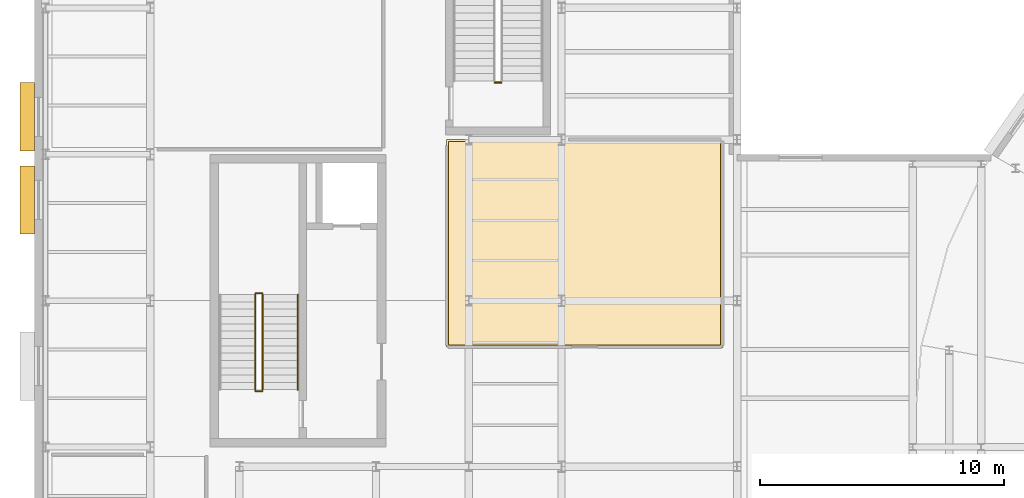
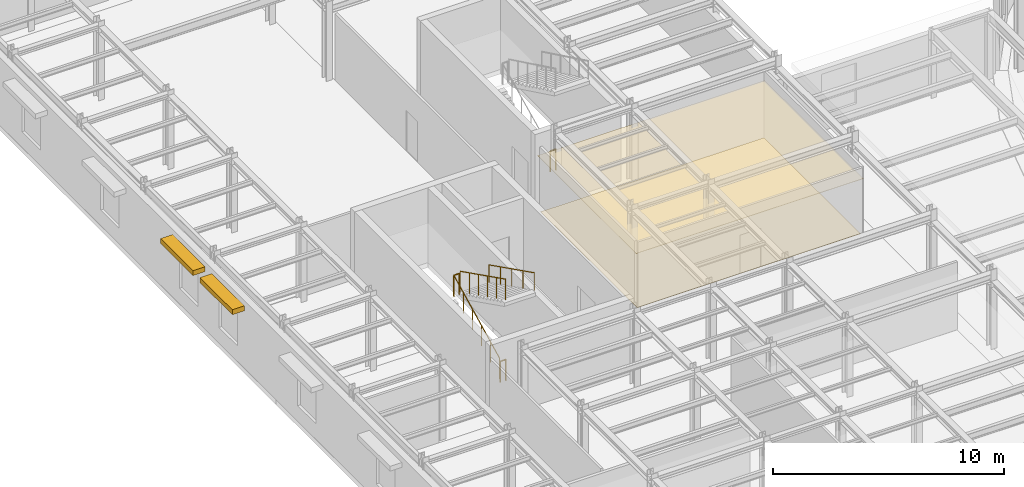
# One storey, part 71 of 75: 6 railings, 2 coverings, 2 shading devices, 1 element without a shape of its own.
"""IFC4 building model written with IfcOpenShell, lengths in metres."""

import ifcopenshell
import ifcopenshell.guid

model = None  # the IFC model being written
_history = None  # IfcOwnerHistory: only IFC2X3 demands one
_inside = {}  # id of a spatial element -> (the spatial element, [elements in it])
_under = {}  # id of a project, library or spatial element -> (it, [spatial elements below it])
_declared = {}  # id of a project -> (the project, [libraries it declares])
_typed = {}  # id of a type object -> (the type object, [elements of that type])
_made_of = {}  # id of a material, layer set ... -> (it, [elements and type objects made of it])


def new_model(schema):
    """Start an empty IFC model of exactly this schema.

    Asked for "IFC4X3", IfcOpenShell would pick the latest addendum, in which some entities
    have other attributes; the version numbers below select the first issue.
    IFC2X3 requires an IfcOwnerHistory on every rooted entity: one is made here for all.
    """
    global model, _history
    if schema == "IFC4X3":
        model = ifcopenshell.file(schema_version=(4, 3, 0, 0))
    else:
        model = ifcopenshell.file(schema=schema)
    _inside.clear()
    _under.clear()
    _declared.clear()
    _typed.clear()
    _made_of.clear()
    _history = None
    if model.schema == "IFC2X3":
        org = make("IfcOrganization", Name="unknown")
        user = make(
            "IfcPersonAndOrganization",
            ThePerson=make("IfcPerson", FamilyName="unknown"),
            TheOrganization=org,
        )
        app = make(
            "IfcApplication",
            ApplicationDeveloper=org,
            Version="unknown",
            ApplicationFullName="unknown",
            ApplicationIdentifier="unknown",
        )
        _history = make(
            "IfcOwnerHistory",
            OwningUser=user,
            OwningApplication=app,
            ChangeAction="ADDED",
            CreationDate=0,
        )
    return model


def make(cls, **values):
    """One entity of the class cls with the attributes given. An attribute that is None is left unset."""
    return model.create_entity(
        cls, **{name: value for name, value in values.items() if value is not None}
    )


def rooted(cls, **values):
    """An entity with a GlobalId (a new one), such as an element, a storey or a relation."""
    return make(cls, GlobalId=ifcopenshell.guid.new(), OwnerHistory=_history, **values)


def si_unit(unit_type, name, prefix=None):
    """IfcSIUnit, for example si_unit("LENGTHUNIT", "METRE", prefix="MILLI")."""
    return make("IfcSIUnit", UnitType=unit_type, Prefix=prefix, Name=name)


def assignment(units):
    """IfcUnitAssignment: the units of a project."""
    return None if units is None else make("IfcUnitAssignment", Units=units)


def point(xyz):
    """IfcCartesianPoint."""
    return None if xyz is None else make("IfcCartesianPoint", Coordinates=xyz)


def direction(xyz):
    """IfcDirection."""
    return None if xyz is None else make("IfcDirection", DirectionRatios=xyz)


def frame(location, z_axis=None, x_axis=None):
    """IfcAxis2Placement3D, a coordinate frame: its origin and axes. An axis left out is left unset."""
    return make(
        "IfcAxis2Placement3D",
        Location=point(location),
        Axis=direction(z_axis),
        RefDirection=direction(x_axis),
    )


def frame_2d(location, x_axis=None):
    """IfcAxis2Placement2D, a coordinate frame in the plane: its origin and x axis."""
    return make(
        "IfcAxis2Placement2D", Location=point(location), RefDirection=direction(x_axis)
    )


def origin():
    """The frame at (0, 0, 0) with its axes left unset."""
    return frame((0.0, 0.0, 0.0))


def origin_2d():
    """The frame at (0, 0) in the plane with its x axis left unset."""
    return frame_2d((0.0, 0.0))


def place(relative_to, where):
    """IfcLocalPlacement: puts the frame where relative to a parent placement (None: the world)."""
    return make(
        "IfcLocalPlacement", PlacementRelTo=relative_to, RelativePlacement=where
    )


def context(
    kind, dimensions, precision=None, world=None, true_north=None, identifier=None
):
    """IfcGeometricRepresentationContext, for example the 3D "Model" context."""
    return make(
        "IfcGeometricRepresentationContext",
        ContextIdentifier=identifier,
        ContextType=kind,
        CoordinateSpaceDimension=dimensions,
        Precision=precision,
        WorldCoordinateSystem=world,
        TrueNorth=true_north,
    )


def subcontext(parent, identifier, kind, view, scale=None):
    """IfcGeometricRepresentationSubContext, for example "Body" below "Model"."""
    return make(
        "IfcGeometricRepresentationSubContext",
        ContextIdentifier=identifier,
        ContextType=kind,
        ParentContext=parent,
        TargetScale=scale,
        TargetView=view,
    )


def project(units=None, contexts=None):
    """IfcProject with its units and contexts."""
    return rooted(
        "IfcProject",
        Name="project",
        RepresentationContexts=contexts,
        UnitsInContext=assignment(units),
    )


def spatial(cls, under=None, at=None, **own):
    """A site, building, storey or space (cls), placed at a placement, below another one or the project."""
    s = rooted(cls, ObjectPlacement=at, **own)
    if under is not None:
        _under.setdefault(under.id(), (under, []))[1].append(s)
    return s


def polyline(points):
    """IfcPolyline through the points."""
    return make("IfcPolyline", Points=[point(p) for p in points])


def profile(cls, at=None, kind="AREA", **sizes):
    """A parametric profile (cls). Its sizes go by their IFC names, for example OverallWidth=200.0."""
    return make(cls, ProfileType=kind, Position=at, **sizes)


def rectangle(**sizes):
    """IfcRectangleProfileDef."""
    return profile("IfcRectangleProfileDef", **sizes)


def circle(**sizes):
    """IfcCircleProfileDef."""
    return profile("IfcCircleProfileDef", **sizes)


def outline(outer, holes=None, kind="AREA"):
    """IfcArbitraryClosedProfileDef: a profile drawn as a closed curve; with holes, ...WithVoids."""
    if holes is None:
        return make("IfcArbitraryClosedProfileDef", ProfileType=kind, OuterCurve=outer)
    return make(
        "IfcArbitraryProfileDefWithVoids",
        ProfileType=kind,
        OuterCurve=outer,
        InnerCurves=holes,
    )


def extrude(swept, where, along, depth):
    """IfcExtrudedAreaSolid: the profile swept, set in the frame where, extruded along a direction by depth."""
    return make(
        "IfcExtrudedAreaSolid",
        SweptArea=swept,
        Position=where,
        ExtrudedDirection=direction(along),
        Depth=depth,
    )


def shape(context_of_items, identifier, shape_type, items):
    """IfcShapeRepresentation: the items that make up one representation, for example the "Body"."""
    return make(
        "IfcShapeRepresentation",
        ContextOfItems=context_of_items,
        RepresentationIdentifier=identifier,
        RepresentationType=shape_type,
        Items=items,
    )


def material(Name=None, Category=None):
    """IfcMaterial."""
    return make("IfcMaterial", Name=Name, Category=Category)


def layer(
    of_material, thickness, ventilated=None, Name=None, Category=None, Priority=None
):
    """IfcMaterialLayer: one layer of a wall or slab, of a material (None: an air gap)."""
    return make(
        "IfcMaterialLayer",
        Material=of_material,
        LayerThickness=thickness,
        IsVentilated=ventilated,
        Name=Name,
        Category=Category,
        Priority=Priority,
    )


def layer_set(layers, Name=None):
    """IfcMaterialLayerSet."""
    return make("IfcMaterialLayerSet", MaterialLayers=layers, LayerSetName=Name)


def made_of(thing, what):
    """Note that an element or type object is made of a material, layer set ...; save() writes the relation."""
    if what is not None:
        _made_of.setdefault(what.id(), (what, []))[1].append(thing)
    return thing


def type_object(cls, material=None, **own):
    """A type object (cls), such as IfcWallType, which elements share."""
    return made_of(rooted(cls, **own), material)


def element(
    cls,
    number,
    at=None,
    inside=None,
    cuts=None,
    type_object=None,
    material=None,
    context=None,
    identifier="Body",
    shape_type=None,
    held_by="IfcProductDefinitionShape",
    body=None,
    shapes=None,
    **own,
):
    """One element of the class cls, such as IfcWall. Its Tag is "e" and its number.

    at: its placement. inside: the storey or other place that contains it. cuts: it is an
    opening in that element (IfcRelVoidsElement). A single representation is given by context,
    identifier, shape_type and body (its items); several are given by shapes. held_by: the class
    of the entity that holds the representations. save() writes the other relations.
    """
    e = rooted(cls, Tag="e%d" % number, ObjectPlacement=at, **own)
    if body is not None:
        shapes = [shape(context, identifier, shape_type, body)]
    if shapes is not None:
        e.Representation = make(held_by, Representations=shapes)
    if inside is not None:
        _inside.setdefault(inside.id(), (inside, []))[1].append(e)
    if cuts is not None:
        rooted(
            "IfcRelVoidsElement", RelatingBuildingElement=cuts, RelatedOpeningElement=e
        )
    if type_object is not None:
        _typed.setdefault(type_object.id(), (type_object, []))[1].append(e)
    return made_of(e, material)


def aggregate(whole, parts):
    """IfcRelAggregates: a whole, such as a stair, and the parts it consists of."""
    return rooted("IfcRelAggregates", RelatingObject=whole, RelatedObjects=parts)


def save(model, path):
    """Write the relations noted so far, then the file.

    IfcRelAggregates (storeys below a building ...), IfcRelContainedInSpatialStructure (elements
    in a storey), IfcRelDefinesByType, IfcRelAssociatesMaterial and IfcRelDeclares: one each for
    every whole, place, type object, material and project.
    """
    for whole, parts in _under.values():
        aggregate(whole, parts)
    for where, things in _inside.values():
        rooted(
            "IfcRelContainedInSpatialStructure",
            RelatedElements=things,
            RelatingStructure=where,
        )
    for kind, things in _typed.values():
        rooted("IfcRelDefinesByType", RelatedObjects=things, RelatingType=kind)
    for what, things in _made_of.values():
        rooted("IfcRelAssociatesMaterial", RelatedObjects=things, RelatingMaterial=what)
    for by, libraries in _declared.values():
        rooted("IfcRelDeclares", RelatingContext=by, RelatedDefinitions=libraries)
    model.write(path)


model = new_model("IFC4")

# Units and contexts
model_context = context("Model", 3, precision=1e-05, world=origin(), true_north=direction((0.0, 1.0)))
body_context = subcontext(model_context, "Body", "Model", "MODEL_VIEW")
ifc_project = project(units=[si_unit("LENGTHUNIT", "METRE"), si_unit("AREAUNIT", "SQUARE_METRE"), si_unit("VOLUMEUNIT", "CUBIC_METRE"), si_unit("PLANEANGLEUNIT", "RADIAN"), si_unit("MASSUNIT", "GRAM", prefix="KILO")], contexts=[model_context])

# Site, building, storey
site_placement = place(None, origin())
site = spatial("IfcSite", under=ifc_project, at=site_placement, CompositionType="ELEMENT")
building_placement = place(site_placement, origin())
building = spatial("IfcBuilding", under=site, at=building_placement, Name="Kolvaren Corner Interchange", CompositionType="ELEMENT")
storey_placement = place(building_placement, frame((0.0, 0.0, 10.5)))
storey = spatial("IfcBuildingStorey", under=building, at=storey_placement, Name="L03", CompositionType="ELEMENT", Elevation=10.5)

# Coverings
ifc_material_1 = material(Name="Suspended Acoustic Mineral-Fibre Ceiling")
ifc_layer_1 = layer(ifc_material_1, 0.02197265625)
ifc_layer_set_1 = layer_set([ifc_layer_1], Name="Suspended Acoustic Mineral-Fibre Ceiling")
covering_type_1 = type_object("IfcCoveringType", Name="COV-CEIL-AC22", PredefinedType="CEILING", material=ifc_layer_set_1)
covering_1_placement = place(storey_placement, frame((0.0, 0.0, 2.927978515625)))
element("IfcCovering", 1, at=covering_1_placement, inside=storey, type_object=covering_type_1, Name="L03 Fare Systems Engineering Office Suspended Ceiling", PredefinedType="CEILING", context=body_context, shape_type="SweptSolid", body=[
    extrude(outline(polyline([(16.8798828125, 52.10009765625), (28.212646484375, 52.08447265625), (28.215576171875, 60.61279296875), (16.88720703125, 60.615478515625), (16.8798828125, 52.10009765625)])), origin(), (0.0, 0.0, 1.0), 0.02197265625),
])
ifc_material_2 = material(Name="Acoustic Tufted Modular Office Carpet Tile")
ifc_layer_2 = layer(ifc_material_2, 0.011962890625)
ifc_layer_set_2 = layer_set([ifc_layer_2], Name="Acoustic Tufted Modular Office Carpet Tile")
covering_type_2 = type_object("IfcCoveringType", Name="COV-FLR-CPT12", PredefinedType="FLOORING", material=ifc_layer_set_2)
covering_2_placement = place(storey_placement, origin())
element("IfcCovering", 2, at=covering_2_placement, inside=storey, type_object=covering_type_2, Name="L03 Fare Systems Engineering Office Floor Finish", PredefinedType="FLOORING", context=body_context, shape_type="SweptSolid", body=[
    extrude(outline(polyline([(16.97998046875, 52.179931640625), (28.1201171875, 52.179931640625), (28.1201171875, 60.52001953125), (16.97998046875, 60.52001953125), (16.97998046875, 52.179931640625)])), origin(), (0.0, 0.0, 1.0), 0.011962890625),
])

# Railing
ifc_material_3 = material(Name="Powder-Coated Steel Stairwell Guardrail", Category="steel")
railing_type_1 = type_object("IfcRailingType", Name="RLT-STAIR-GRD1120", PredefinedType="GUARDRAIL", material=ifc_material_3)
railing_1_placement = place(storey_placement, frame((9.06005859375, 50.2900390625, 0.0)))
element("IfcRailing", 3, at=railing_1_placement, inside=storey, type_object=railing_type_1, Name="Core C2 Northwest Firefighting Stair L03 Landing Edge Guardrail", PredefinedType="GUARDRAIL", context=body_context, shape_type="SweptSolid", body=[
    extrude(circle(Radius=0.02392578125, at=origin_2d()), frame((0.0, 0.0, 1.09619140625), z_axis=(1.0, 0.0, 0.0), x_axis=(0.0, 1.0, 0.0)), (0.0, 0.0, 1.0), 0.280029296875),
    extrude(circle(Radius=0.02001953125, at=origin_2d()), origin(), (0.0, 0.0, 1.0), 1.072021484375),
    extrude(circle(Radius=0.02001953125, at=origin_2d()), frame((0.280029296875, 0.0, 0.0)), (0.0, 0.0, 1.0), 1.072021484375),
])

# Stair, railings
ifc_material_4 = material(Name="Concrete C35/45", Category="concrete")
stair_type = type_object("IfcStairType", Name="ST-FF-1550", PredefinedType="HALF_TURN_STAIR", material=ifc_material_4)
stair_placement = place(storey_placement, origin())
stair = element("IfcStair", 4, at=stair_placement, inside=storey, type_object=stair_type, Name="Core C2 Northwest Firefighting Stair L03 to L04 Stair", PredefinedType="HALF_TURN_STAIR")
railing_2_placement = place(storey_placement, frame((9.050048828125, 50.35009765625, 0.14990234375)))
railing_2 = element("IfcRailing", 5, at=railing_2_placement, type_object=railing_type_1, Name="Core C2 Northwest Firefighting Stair L03 Lower Flight Well Guardrail", PredefinedType="GUARDRAIL", context=body_context, shape_type="SweptSolid", body=[
    extrude(circle(Radius=0.02392578125, at=origin_2d()), frame((0.0, 0.0, 1.09619140625), z_axis=(0.0, 0.894404793364, 0.447258387967), x_axis=(-1.0, 0.0, 0.0)), (0.0, 0.0, 1.0), 4.3603515625),
    extrude(circle(Radius=0.02001953125, at=origin_2d()), origin(), (0.0, 0.0, 1.0), 1.072021484375),
    extrude(circle(Radius=0.02001953125, at=origin_2d()), frame((0.0, 0.780029296875, 0.39013671875)), (0.0, 0.0, 1.0), 1.072021484375),
    extrude(circle(Radius=0.02001953125, at=origin_2d()), frame((0.0, 1.56005859375, 0.780029296875)), (0.0, 0.0, 1.0), 1.072021484375),
    extrude(circle(Radius=0.02001953125, at=origin_2d()), frame((0.0, 2.33984375, 1.170166015625)), (0.0, 0.0, 1.0), 1.072021484375),
    extrude(circle(Radius=0.02001953125, at=origin_2d()), frame((0.0, 3.119873046875, 1.56005859375)), (0.0, 0.0, 1.0), 1.072021484375),
    extrude(circle(Radius=0.02001953125, at=origin_2d()), frame((0.0, 3.89990234375, 1.9501953125)), (0.0, 0.0, 1.0), 1.072021484375),
])
railing_3_placement = place(storey_placement, frame((9.06005859375, 54.31005859375, 2.10009765625)))
railing_3 = element("IfcRailing", 6, at=railing_3_placement, type_object=railing_type_1, Name="Core C2 Northwest Firefighting Stair L03 Half Landing Well Guardrail", PredefinedType="GUARDRAIL", context=body_context, shape_type="SweptSolid", body=[
    extrude(circle(Radius=0.02392578125, at=origin_2d()), frame((0.0, 0.0, 1.09619140625), z_axis=(1.0, 0.0, 0.0), x_axis=(0.0, 1.0, 0.0)), (0.0, 0.0, 1.0), 0.280029296875),
    extrude(circle(Radius=0.02001953125, at=origin_2d()), origin(), (0.0, 0.0, 1.0), 1.072021484375),
    extrude(circle(Radius=0.02001953125, at=origin_2d()), frame((0.280029296875, 0.0, 0.0)), (0.0, 0.0, 1.0), 1.072021484375),
])
railing_4_placement = place(storey_placement, frame((9.35009765625, 54.25, 2.25)))
railing_4 = element("IfcRailing", 7, at=railing_4_placement, type_object=railing_type_1, Name="Core C2 Northwest Firefighting Stair L03 Upper Flight Well Guardrail", PredefinedType="GUARDRAIL", context=body_context, shape_type="SweptSolid", body=[
    extrude(circle(Radius=0.02392578125, at=origin_2d()), frame((0.0, 0.0, 1.09619140625), z_axis=(0.0, -0.894427191, 0.4472135955), x_axis=(1.0, 0.0, 0.0)), (0.0, 0.0, 1.0), 4.360107421875),
    extrude(circle(Radius=0.02001953125, at=origin_2d()), origin(), (0.0, 0.0, 1.0), 1.072021484375),
    extrude(circle(Radius=0.02001953125, at=origin_2d()), frame((0.0, -0.780029296875, 0.389892578125)), (0.0, 0.0, 1.0), 1.072021484375),
    extrude(circle(Radius=0.02001953125, at=origin_2d()), frame((0.0, -1.56005859375, 0.780029296875)), (0.0, 0.0, 1.0), 1.072021484375),
    extrude(circle(Radius=0.02001953125, at=origin_2d()), frame((0.0, -2.33984375, 1.169921875)), (0.0, 0.0, 1.0), 1.072021484375),
    extrude(circle(Radius=0.02001953125, at=origin_2d()), frame((0.0, -3.119873046875, 1.56005859375)), (0.0, 0.0, 1.0), 1.072021484375),
    extrude(circle(Radius=0.02001953125, at=origin_2d()), frame((0.0, -3.89990234375, 1.949951171875)), (0.0, 0.0, 1.0), 1.072021484375),
])

# Railing
railing_5_placement = place(storey_placement, frame((18.860107421875, 62.93994140625, 0.0)))
element("IfcRailing", 8, at=railing_5_placement, inside=storey, type_object=railing_type_1, Name="Operations North Wing Protected Exit Stair L03 Landing Edge Guardrail", PredefinedType="GUARDRAIL", context=body_context, shape_type="SweptSolid", body=[
    extrude(circle(Radius=0.02392578125, at=origin_2d()), frame((0.0, 0.0, 1.09619140625), z_axis=(1.0, 0.0, 0.0), x_axis=(0.0, 1.0, 0.0)), (0.0, 0.0, 1.0), 0.27978515625),
    extrude(circle(Radius=0.02001953125, at=origin_2d()), origin(), (0.0, 0.0, 1.0), 1.072021484375),
    extrude(circle(Radius=0.02001953125, at=origin_2d()), frame((0.27978515625, 0.0, 0.0)), (0.0, 0.0, 1.0), 1.072021484375),
])

ifc_material_5 = material(Name="Brushed Stainless Steel Stair Handrail", Category="steel")
railing_type_2 = type_object("IfcRailingType", Name="RLT-STAIR-HR950", PredefinedType="HANDRAIL", material=ifc_material_5)
railing_6_placement = place(storey_placement, frame((10.7900390625, 54.25, 2.25)))
railing_6 = element("IfcRailing", 9, at=railing_6_placement, type_object=railing_type_2, Name="Core C2 Northwest Firefighting Stair L03 Upper Flight Wall Handrail", PredefinedType="HANDRAIL", context=body_context, shape_type="SweptSolid", body=[
    extrude(circle(Radius=0.02197265625, at=origin_2d()), frame((0.0, 0.0, 0.927978515625), z_axis=(0.0, -0.894427191, 0.4472135955), x_axis=(1.0, 0.0, 0.0)), (0.0, 0.0, 1.0), 4.360107421875),
    extrude(circle(Radius=0.01806640625, at=origin_2d()), origin(), (0.0, 0.0, 1.0), 0.906005859375),
    extrude(circle(Radius=0.01806640625, at=origin_2d()), frame((0.0, -0.97509765625, 0.487548828125)), (0.0, 0.0, 1.0), 0.906005859375),
    extrude(circle(Radius=0.01806640625, at=origin_2d()), frame((0.0, -1.949951171875, 0.97509765625)), (0.0, 0.0, 1.0), 0.906005859375),
    extrude(circle(Radius=0.01806640625, at=origin_2d()), frame((0.0, -2.9248046875, 1.46240234375)), (0.0, 0.0, 1.0), 0.906005859375),
    extrude(circle(Radius=0.01806640625, at=origin_2d()), frame((0.0, -3.89990234375, 1.949951171875)), (0.0, 0.0, 1.0), 0.906005859375),
])

aggregate(stair, [railing_2, railing_3, railing_4, railing_6])

# Shading devices
ifc_material_6 = material(Name="Cream Ceramic Baguette Brise-Soleil")
shading_device_type = type_object("IfcShadingDeviceType", Name="SHD-BAG-H600", PredefinedType="JALOUSIE", material=ifc_material_6)
for number, where, z_axis, x_axis, name in (
    (10, (-0.2900390625, 61.531982421875, 3.02978515625), (0.0, 0.0, 1.0), (0.0, -1.0, 0.0), "L03 Ceramic Solar Shading 0076"),
    (11, (-0.2900390625, 58.1279296875, 3.02978515625), (0.0, 0.0, 1.0), (0.0, -1.0, 0.0), "L03 Ceramic Solar Shading 0077"),
):
    element("IfcShadingDevice", number, at=place(storey_placement, frame(where, z_axis=z_axis, x_axis=x_axis)), inside=storey, type_object=shading_device_type, Name=name, PredefinedType="JALOUSIE", context=body_context, shape_type="SweptSolid", body=[
        extrude(rectangle(XDim=2.800048828125, YDim=0.60009765625, at=origin_2d()), origin(), (0.0, 0.0, 1.0), 0.260009765625),
    ])

save(model, "model.ifc")
